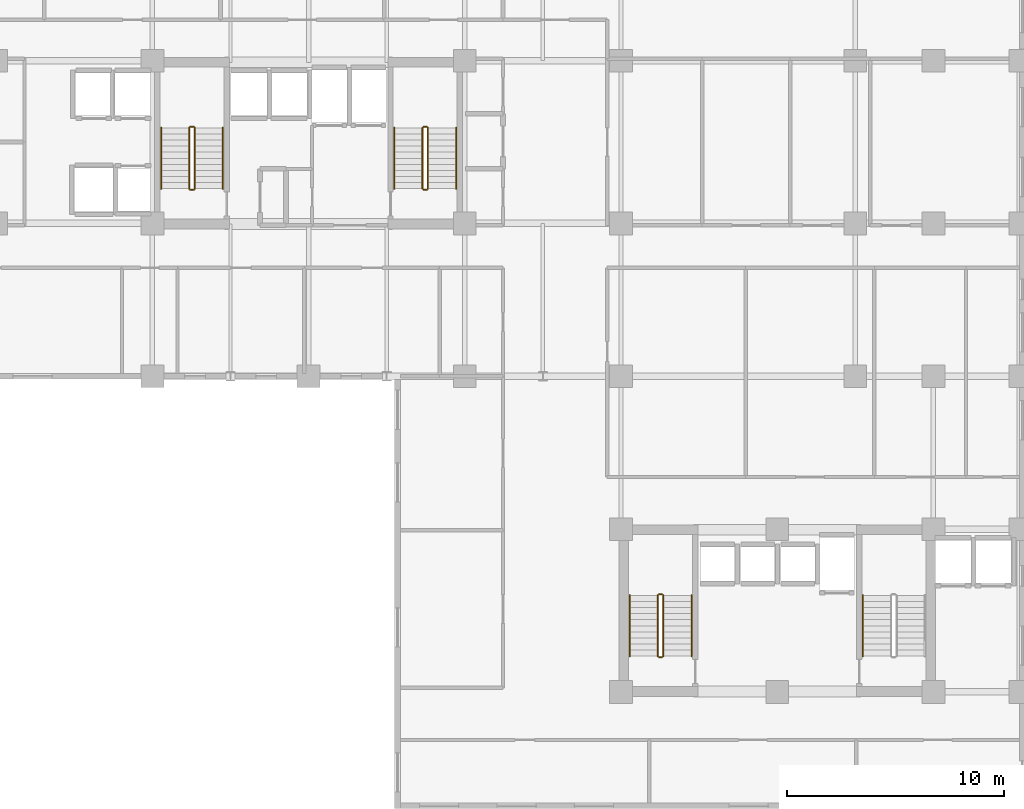
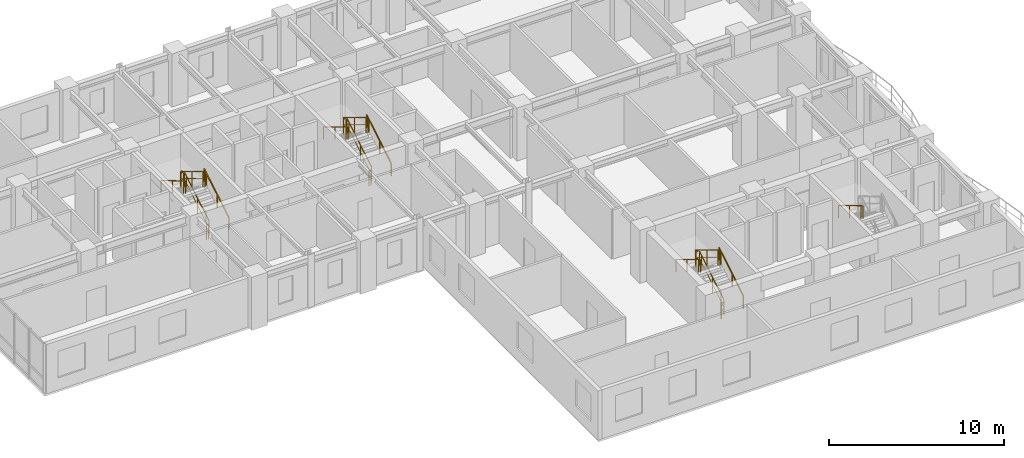
# One storey, part 17 of 19: 19 railings.
"""IFC4 building model written with IfcOpenShell, lengths in metres."""

from ifc_helpers import new_model, si_unit, direction, frame, origin, origin_2d, place, context, subcontext, project, spatial, rectangle, extrude, material, type_object, element, save


model = new_model("IFC4")

# Units and contexts
model_context = context("Model", 3, precision=1e-05, world=origin(), true_north=direction((0.0, 1.0)))
body_context = subcontext(model_context, "Body", "Model", "MODEL_VIEW")
ifc_project = project(units=[si_unit("LENGTHUNIT", "METRE"), si_unit("AREAUNIT", "SQUARE_METRE"), si_unit("VOLUMEUNIT", "CUBIC_METRE"), si_unit("PLANEANGLEUNIT", "RADIAN"), si_unit("MASSUNIT", "GRAM", prefix="KILO")], contexts=[model_context])

# Site, building, storey
site_placement = place(None, origin())
site = spatial("IfcSite", under=ifc_project, at=site_placement, CompositionType="ELEMENT")
building_placement = place(site_placement, origin())
building = spatial("IfcBuilding", under=site, at=building_placement, Name="Kaliganga Portal Commons", CompositionType="ELEMENT")
storey_placement = place(building_placement, frame((0.0, 0.0, 140.199951171875)))
storey = spatial("IfcBuildingStorey", under=building, at=storey_placement, Name="L35", CompositionType="ELEMENT", Elevation=140.199951171875)

# Railings
ifc_material_1 = material(Name="Galvanized Painted Steel Balustrade", Category="steel")
railing_type_1 = type_object("IfcRailingType", Name="RLG-STAIR-GRD", PredefinedType="GUARDRAIL", material=ifc_material_1)
railing_1_placement = place(storey_placement, frame((16.35009765625, 30.25, 0.168212890625)))
element("IfcRailing", 1, at=railing_1_placement, inside=storey, type_object=railing_type_1, Name="L35 ST-A1 stair guard 1", PredefinedType="GUARDRAIL", context=body_context, shape_type="SweptSolid", body=[
    extrude(rectangle(XDim=0.048095703125, YDim=0.048095703125, at=origin_2d()), frame((0.0, 0.0, 1.072021484375), z_axis=(0.0, 0.857242210791, 0.514913383045), x_axis=(-1.0, 0.0, 0.0)), (0.0, 0.0, 1.0), 3.266357421875),
    extrude(rectangle(XDim=0.028076171875, YDim=0.028076171875, at=origin_2d()), frame((0.0, 0.0, 0.572021484375), z_axis=(0.0, 0.857242210791, 0.514913383045), x_axis=(-1.0, 0.0, 0.0)), (0.0, 0.0, 1.0), 3.266357421875),
    extrude(rectangle(XDim=0.0419921875, YDim=0.0419921875, at=origin_2d()), origin(), (0.0, 0.0, 1.0), 1.052001953125),
    extrude(rectangle(XDim=0.0419921875, YDim=0.0419921875, at=origin_2d()), frame((0.0, 1.285888671875, 0.7724609375)), (0.0, 0.0, 1.0), 1.052001953125),
    extrude(rectangle(XDim=0.0419921875, YDim=0.0419921875, at=origin_2d()), frame((0.0, 2.57177734375, 1.544677734375)), (0.0, 0.0, 1.0), 1.052001953125),
    extrude(rectangle(XDim=0.0419921875, YDim=0.0419921875, at=origin_2d()), frame((0.0, 2.800048828125, 1.681884765625)), (0.0, 0.0, 1.0), 1.052001953125),
])
railing_2_placement = place(storey_placement, frame((16.300048828125, 33.10009765625, 1.85009765625)))
element("IfcRailing", 2, at=railing_2_placement, inside=storey, type_object=railing_type_1, Name="L35 ST-A1 stair guard 2", PredefinedType="GUARDRAIL", context=body_context, shape_type="SweptSolid", body=[
    extrude(rectangle(XDim=0.048095703125, YDim=0.048095703125, at=origin_2d()), frame((0.0, 0.0, 1.076171875), z_axis=(-1.0, 0.0, 0.0), x_axis=(0.0, -1.0, 0.0)), (0.0, 0.0, 1.0), 0.150146484375),
    extrude(rectangle(XDim=0.028076171875, YDim=0.028076171875, at=origin_2d()), frame((0.0, 0.0, 0.572021484375), z_axis=(-1.0, 0.0, 0.0), x_axis=(0.0, -1.0, 0.0)), (0.0, 0.0, 1.0), 0.150146484375),
    extrude(rectangle(XDim=0.0419921875, YDim=0.0419921875, at=origin_2d()), origin(), (0.0, 0.0, 1.0), 1.052001953125),
    extrude(rectangle(XDim=0.0419921875, YDim=0.0419921875, at=origin_2d()), frame((-0.150146484375, 0.0, 0.0)), (0.0, 0.0, 1.0), 1.052001953125),
])
railing_3_placement = place(storey_placement, frame((16.10009765625, 33.050048828125, 2.018310546875)))
element("IfcRailing", 3, at=railing_3_placement, inside=storey, type_object=railing_type_1, Name="L35 ST-A1 stair guard 3", PredefinedType="GUARDRAIL", context=body_context, shape_type="SweptSolid", body=[
    extrude(rectangle(XDim=0.048095703125, YDim=0.048095703125, at=origin_2d()), frame((0.0, 0.0, 1.072021484375), z_axis=(0.0, -0.857275202839, 0.514858452973), x_axis=(1.0, 0.0, 0.0)), (0.0, 0.0, 1.0), 3.26611328125),
    extrude(rectangle(XDim=0.028076171875, YDim=0.028076171875, at=origin_2d()), frame((0.0, 0.0, 0.572021484375), z_axis=(0.0, -0.857275202839, 0.514858452973), x_axis=(1.0, 0.0, 0.0)), (0.0, 0.0, 1.0), 3.26611328125),
    extrude(rectangle(XDim=0.0419921875, YDim=0.0419921875, at=origin_2d()), origin(), (0.0, 0.0, 1.0), 1.052001953125),
    extrude(rectangle(XDim=0.0419921875, YDim=0.0419921875, at=origin_2d()), frame((0.0, -1.285888671875, 0.772216796875)), (0.0, 0.0, 1.0), 1.052001953125),
    extrude(rectangle(XDim=0.0419921875, YDim=0.0419921875, at=origin_2d()), frame((0.0, -2.57177734375, 1.544677734375)), (0.0, 0.0, 1.0), 1.052001953125),
    extrude(rectangle(XDim=0.0419921875, YDim=0.0419921875, at=origin_2d()), frame((0.0, -2.800048828125, 1.681640625)), (0.0, 0.0, 1.0), 1.052001953125),
])
railing_4_placement = place(storey_placement, frame((16.300048828125, 30.199951171875, 0.0)))
element("IfcRailing", 4, at=railing_4_placement, inside=storey, type_object=railing_type_1, Name="L35 ST-A1 stair guard 4", PredefinedType="GUARDRAIL", context=body_context, shape_type="SweptSolid", body=[
    extrude(rectangle(XDim=0.048095703125, YDim=0.048095703125, at=origin_2d()), frame((0.0, 0.0, 1.076171875), z_axis=(-1.0, 0.0, 0.0), x_axis=(0.0, -1.0, 0.0)), (0.0, 0.0, 1.0), 0.150146484375),
    extrude(rectangle(XDim=0.028076171875, YDim=0.028076171875, at=origin_2d()), frame((0.0, 0.0, 0.572021484375), z_axis=(-1.0, 0.0, 0.0), x_axis=(0.0, -1.0, 0.0)), (0.0, 0.0, 1.0), 0.150146484375),
    extrude(rectangle(XDim=0.0419921875, YDim=0.0419921875, at=origin_2d()), origin(), (0.0, 0.0, 1.0), 1.052001953125),
    extrude(rectangle(XDim=0.0419921875, YDim=0.0419921875, at=origin_2d()), frame((-0.150146484375, 0.0, 0.0)), (0.0, 0.0, 1.0), 1.052001953125),
])
railing_5_placement = place(storey_placement, frame((27.10009765625, 30.25, 0.168212890625)))
element("IfcRailing", 5, at=railing_5_placement, inside=storey, type_object=railing_type_1, Name="L35 ST-A2 stair guard 1", PredefinedType="GUARDRAIL", context=body_context, shape_type="SweptSolid", body=[
    extrude(rectangle(XDim=0.048095703125, YDim=0.048095703125, at=origin_2d()), frame((0.0, 0.0, 1.072021484375), z_axis=(0.0, 0.857242210791, 0.514913383045), x_axis=(-1.0, 0.0, 0.0)), (0.0, 0.0, 1.0), 3.266357421875),
    extrude(rectangle(XDim=0.028076171875, YDim=0.028076171875, at=origin_2d()), frame((0.0, 0.0, 0.572021484375), z_axis=(0.0, 0.857242210791, 0.514913383045), x_axis=(-1.0, 0.0, 0.0)), (0.0, 0.0, 1.0), 3.266357421875),
    extrude(rectangle(XDim=0.0419921875, YDim=0.0419921875, at=origin_2d()), origin(), (0.0, 0.0, 1.0), 1.052001953125),
    extrude(rectangle(XDim=0.0419921875, YDim=0.0419921875, at=origin_2d()), frame((0.0, 1.285888671875, 0.7724609375)), (0.0, 0.0, 1.0), 1.052001953125),
    extrude(rectangle(XDim=0.0419921875, YDim=0.0419921875, at=origin_2d()), frame((0.0, 2.57177734375, 1.544677734375)), (0.0, 0.0, 1.0), 1.052001953125),
    extrude(rectangle(XDim=0.0419921875, YDim=0.0419921875, at=origin_2d()), frame((0.0, 2.800048828125, 1.681884765625)), (0.0, 0.0, 1.0), 1.052001953125),
])
railing_6_placement = place(storey_placement, frame((27.050048828125, 33.10009765625, 1.85009765625)))
element("IfcRailing", 6, at=railing_6_placement, inside=storey, type_object=railing_type_1, Name="L35 ST-A2 stair guard 2", PredefinedType="GUARDRAIL", context=body_context, shape_type="SweptSolid", body=[
    extrude(rectangle(XDim=0.048095703125, YDim=0.048095703125, at=origin_2d()), frame((0.0, 0.0, 1.076171875), z_axis=(-1.0, 0.0, 0.0), x_axis=(0.0, -1.0, 0.0)), (0.0, 0.0, 1.0), 0.150146484375),
    extrude(rectangle(XDim=0.028076171875, YDim=0.028076171875, at=origin_2d()), frame((0.0, 0.0, 0.572021484375), z_axis=(-1.0, 0.0, 0.0), x_axis=(0.0, -1.0, 0.0)), (0.0, 0.0, 1.0), 0.150146484375),
    extrude(rectangle(XDim=0.0419921875, YDim=0.0419921875, at=origin_2d()), origin(), (0.0, 0.0, 1.0), 1.052001953125),
    extrude(rectangle(XDim=0.0419921875, YDim=0.0419921875, at=origin_2d()), frame((-0.150146484375, 0.0, 0.0)), (0.0, 0.0, 1.0), 1.052001953125),
])
railing_7_placement = place(storey_placement, frame((26.85009765625, 33.050048828125, 2.018310546875)))
element("IfcRailing", 7, at=railing_7_placement, inside=storey, type_object=railing_type_1, Name="L35 ST-A2 stair guard 3", PredefinedType="GUARDRAIL", context=body_context, shape_type="SweptSolid", body=[
    extrude(rectangle(XDim=0.048095703125, YDim=0.048095703125, at=origin_2d()), frame((0.0, 0.0, 1.072021484375), z_axis=(0.0, -0.857275202839, 0.514858452973), x_axis=(1.0, 0.0, 0.0)), (0.0, 0.0, 1.0), 3.26611328125),
    extrude(rectangle(XDim=0.028076171875, YDim=0.028076171875, at=origin_2d()), frame((0.0, 0.0, 0.572021484375), z_axis=(0.0, -0.857275202839, 0.514858452973), x_axis=(1.0, 0.0, 0.0)), (0.0, 0.0, 1.0), 3.26611328125),
    extrude(rectangle(XDim=0.0419921875, YDim=0.0419921875, at=origin_2d()), origin(), (0.0, 0.0, 1.0), 1.052001953125),
    extrude(rectangle(XDim=0.0419921875, YDim=0.0419921875, at=origin_2d()), frame((0.0, -1.285888671875, 0.772216796875)), (0.0, 0.0, 1.0), 1.052001953125),
    extrude(rectangle(XDim=0.0419921875, YDim=0.0419921875, at=origin_2d()), frame((0.0, -2.57177734375, 1.544677734375)), (0.0, 0.0, 1.0), 1.052001953125),
    extrude(rectangle(XDim=0.0419921875, YDim=0.0419921875, at=origin_2d()), frame((0.0, -2.800048828125, 1.681640625)), (0.0, 0.0, 1.0), 1.052001953125),
])
railing_8_placement = place(storey_placement, frame((27.050048828125, 30.199951171875, 0.0)))
element("IfcRailing", 8, at=railing_8_placement, inside=storey, type_object=railing_type_1, Name="L35 ST-A2 stair guard 4", PredefinedType="GUARDRAIL", context=body_context, shape_type="SweptSolid", body=[
    extrude(rectangle(XDim=0.048095703125, YDim=0.048095703125, at=origin_2d()), frame((0.0, 0.0, 1.076171875), z_axis=(-1.0, 0.0, 0.0), x_axis=(0.0, -1.0, 0.0)), (0.0, 0.0, 1.0), 0.150146484375),
    extrude(rectangle(XDim=0.028076171875, YDim=0.028076171875, at=origin_2d()), frame((0.0, 0.0, 0.572021484375), z_axis=(-1.0, 0.0, 0.0), x_axis=(0.0, -1.0, 0.0)), (0.0, 0.0, 1.0), 0.150146484375),
    extrude(rectangle(XDim=0.0419921875, YDim=0.0419921875, at=origin_2d()), origin(), (0.0, 0.0, 1.0), 1.052001953125),
    extrude(rectangle(XDim=0.0419921875, YDim=0.0419921875, at=origin_2d()), frame((-0.150146484375, 0.0, 0.0)), (0.0, 0.0, 1.0), 1.052001953125),
])
railing_9_placement = place(storey_placement, frame((37.949951171875, 8.699951171875, 0.168212890625)))
element("IfcRailing", 9, at=railing_9_placement, inside=storey, type_object=railing_type_1, Name="L35 ST-B1 stair guard 1", PredefinedType="GUARDRAIL", context=body_context, shape_type="SweptSolid", body=[
    extrude(rectangle(XDim=0.048095703125, YDim=0.048095703125, at=origin_2d()), frame((0.0, 0.0, 1.072021484375), z_axis=(0.0, 0.857242210791, 0.514913383045), x_axis=(-1.0, 0.0, 0.0)), (0.0, 0.0, 1.0), 3.266357421875),
    extrude(rectangle(XDim=0.028076171875, YDim=0.028076171875, at=origin_2d()), frame((0.0, 0.0, 0.572021484375), z_axis=(0.0, 0.857242210791, 0.514913383045), x_axis=(-1.0, 0.0, 0.0)), (0.0, 0.0, 1.0), 3.266357421875),
    extrude(rectangle(XDim=0.0419921875, YDim=0.0419921875, at=origin_2d()), origin(), (0.0, 0.0, 1.0), 1.052001953125),
    extrude(rectangle(XDim=0.0419921875, YDim=0.0419921875, at=origin_2d()), frame((0.0, 1.285888671875, 0.7724609375)), (0.0, 0.0, 1.0), 1.052001953125),
    extrude(rectangle(XDim=0.0419921875, YDim=0.0419921875, at=origin_2d()), frame((0.0, 2.57177734375, 1.544677734375)), (0.0, 0.0, 1.0), 1.052001953125),
    extrude(rectangle(XDim=0.0419921875, YDim=0.0419921875, at=origin_2d()), frame((0.0, 2.800048828125, 1.681884765625)), (0.0, 0.0, 1.0), 1.052001953125),
])
railing_10_placement = place(storey_placement, frame((37.89990234375, 11.550048828125, 1.85009765625)))
element("IfcRailing", 10, at=railing_10_placement, inside=storey, type_object=railing_type_1, Name="L35 ST-B1 stair guard 2", PredefinedType="GUARDRAIL", context=body_context, shape_type="SweptSolid", body=[
    extrude(rectangle(XDim=0.048095703125, YDim=0.048095703125, at=origin_2d()), frame((0.0, 0.0, 1.076171875), z_axis=(-1.0, 0.0, 0.0), x_axis=(0.0, -1.0, 0.0)), (0.0, 0.0, 1.0), 0.14990234375),
    extrude(rectangle(XDim=0.028076171875, YDim=0.028076171875, at=origin_2d()), frame((0.0, 0.0, 0.572021484375), z_axis=(-1.0, 0.0, 0.0), x_axis=(0.0, -1.0, 0.0)), (0.0, 0.0, 1.0), 0.14990234375),
    extrude(rectangle(XDim=0.0419921875, YDim=0.0419921875, at=origin_2d()), frame((-0.14990234375, 0.0, 0.0)), (0.0, 0.0, 1.0), 1.052001953125),
])
railing_11_placement = place(storey_placement, frame((37.699951171875, 11.5, 2.018310546875)))
element("IfcRailing", 11, at=railing_11_placement, inside=storey, type_object=railing_type_1, Name="L35 ST-B1 stair guard 3", PredefinedType="GUARDRAIL", context=body_context, shape_type="SweptSolid", body=[
    extrude(rectangle(XDim=0.048095703125, YDim=0.048095703125, at=origin_2d()), frame((0.0, 0.0, 1.072021484375), z_axis=(0.0, -0.857275202839, 0.514858452973), x_axis=(1.0, 0.0, 0.0)), (0.0, 0.0, 1.0), 3.26611328125),
    extrude(rectangle(XDim=0.028076171875, YDim=0.028076171875, at=origin_2d()), frame((0.0, 0.0, 0.572021484375), z_axis=(0.0, -0.857275202839, 0.514858452973), x_axis=(1.0, 0.0, 0.0)), (0.0, 0.0, 1.0), 3.26611328125),
    extrude(rectangle(XDim=0.0419921875, YDim=0.0419921875, at=origin_2d()), origin(), (0.0, 0.0, 1.0), 1.052001953125),
    extrude(rectangle(XDim=0.0419921875, YDim=0.0419921875, at=origin_2d()), frame((0.0, -1.285888671875, 0.772216796875)), (0.0, 0.0, 1.0), 1.052001953125),
    extrude(rectangle(XDim=0.0419921875, YDim=0.0419921875, at=origin_2d()), frame((0.0, -2.57177734375, 1.544677734375)), (0.0, 0.0, 1.0), 1.052001953125),
    extrude(rectangle(XDim=0.0419921875, YDim=0.0419921875, at=origin_2d()), frame((0.0, -2.800048828125, 1.681640625)), (0.0, 0.0, 1.0), 1.052001953125),
])
railing_12_placement = place(storey_placement, frame((37.89990234375, 8.64990234375, 0.0)))
element("IfcRailing", 12, at=railing_12_placement, inside=storey, type_object=railing_type_1, Name="L35 ST-B1 stair guard 4", PredefinedType="GUARDRAIL", context=body_context, shape_type="SweptSolid", body=[
    extrude(rectangle(XDim=0.048095703125, YDim=0.048095703125, at=origin_2d()), frame((0.0, 0.0, 1.076171875), z_axis=(-1.0, 0.0, 0.0), x_axis=(0.0, -1.0, 0.0)), (0.0, 0.0, 1.0), 0.14990234375),
    extrude(rectangle(XDim=0.028076171875, YDim=0.028076171875, at=origin_2d()), frame((0.0, 0.0, 0.572021484375), z_axis=(-1.0, 0.0, 0.0), x_axis=(0.0, -1.0, 0.0)), (0.0, 0.0, 1.0), 0.14990234375),
    extrude(rectangle(XDim=0.0419921875, YDim=0.0419921875, at=origin_2d()), frame((-0.14990234375, 0.0, 0.0)), (0.0, 0.0, 1.0), 1.052001953125),
])
ifc_material_2 = material(Name="Brushed Stainless Steel 316", Category="steel")
railing_type_2 = type_object("IfcRailingType", Name="RLG-STAIR-HR", PredefinedType="HANDRAIL", material=ifc_material_2)
railing_13_placement = place(storey_placement, frame((17.64990234375, 30.25, 0.168212890625)))
element("IfcRailing", 13, at=railing_13_placement, inside=storey, type_object=railing_type_2, Name="L35 ST-A1 stair handrail 1", PredefinedType="HANDRAIL", context=body_context, shape_type="SweptSolid", body=[
    extrude(rectangle(XDim=0.048095703125, YDim=0.048095703125, at=origin_2d()), frame((0.0, 0.0, 0.871826171875), z_axis=(0.0, 0.857242210791, 0.514913383045), x_axis=(-1.0, 0.0, 0.0)), (0.0, 0.0, 1.0), 3.266357421875),
    extrude(rectangle(XDim=0.0419921875, YDim=0.0419921875, at=origin_2d()), origin(), (0.0, 0.0, 1.0), 0.851806640625),
    extrude(rectangle(XDim=0.0419921875, YDim=0.0419921875, at=origin_2d()), frame((0.0, 1.285888671875, 0.7724609375)), (0.0, 0.0, 1.0), 0.851806640625),
    extrude(rectangle(XDim=0.0419921875, YDim=0.0419921875, at=origin_2d()), frame((0.0, 2.57177734375, 1.544677734375)), (0.0, 0.0, 1.0), 0.851806640625),
    extrude(rectangle(XDim=0.0419921875, YDim=0.0419921875, at=origin_2d()), frame((0.0, 2.800048828125, 1.681884765625)), (0.0, 0.0, 1.0), 0.851806640625),
])
railing_14_placement = place(storey_placement, frame((14.800048828125, 33.050048828125, 2.018310546875)))
element("IfcRailing", 14, at=railing_14_placement, inside=storey, type_object=railing_type_2, Name="L35 ST-A1 stair handrail 2", PredefinedType="HANDRAIL", context=body_context, shape_type="SweptSolid", body=[
    extrude(rectangle(XDim=0.048095703125, YDim=0.048095703125, at=origin_2d()), frame((0.0, 0.0, 0.871826171875), z_axis=(0.0, -0.857275202839, 0.514858452973), x_axis=(1.0, 0.0, 0.0)), (0.0, 0.0, 1.0), 3.26611328125),
    extrude(rectangle(XDim=0.0419921875, YDim=0.0419921875, at=origin_2d()), origin(), (0.0, 0.0, 1.0), 0.851806640625),
    extrude(rectangle(XDim=0.0419921875, YDim=0.0419921875, at=origin_2d()), frame((0.0, -1.285888671875, 0.772216796875)), (0.0, 0.0, 1.0), 0.851806640625),
    extrude(rectangle(XDim=0.0419921875, YDim=0.0419921875, at=origin_2d()), frame((0.0, -2.57177734375, 1.544677734375)), (0.0, 0.0, 1.0), 0.851806640625),
    extrude(rectangle(XDim=0.0419921875, YDim=0.0419921875, at=origin_2d()), frame((0.0, -2.800048828125, 1.681640625)), (0.0, 0.0, 1.0), 0.851806640625),
])
railing_15_placement = place(storey_placement, frame((28.39990234375, 30.25, 0.168212890625)))
element("IfcRailing", 15, at=railing_15_placement, inside=storey, type_object=railing_type_2, Name="L35 ST-A2 stair handrail 1", PredefinedType="HANDRAIL", context=body_context, shape_type="SweptSolid", body=[
    extrude(rectangle(XDim=0.048095703125, YDim=0.048095703125, at=origin_2d()), frame((0.0, 0.0, 0.871826171875), z_axis=(0.0, 0.857242210791, 0.514913383045), x_axis=(-1.0, 0.0, 0.0)), (0.0, 0.0, 1.0), 3.266357421875),
    extrude(rectangle(XDim=0.0419921875, YDim=0.0419921875, at=origin_2d()), origin(), (0.0, 0.0, 1.0), 0.851806640625),
    extrude(rectangle(XDim=0.0419921875, YDim=0.0419921875, at=origin_2d()), frame((0.0, 1.285888671875, 0.7724609375)), (0.0, 0.0, 1.0), 0.851806640625),
    extrude(rectangle(XDim=0.0419921875, YDim=0.0419921875, at=origin_2d()), frame((0.0, 2.57177734375, 1.544677734375)), (0.0, 0.0, 1.0), 0.851806640625),
    extrude(rectangle(XDim=0.0419921875, YDim=0.0419921875, at=origin_2d()), frame((0.0, 2.800048828125, 1.681884765625)), (0.0, 0.0, 1.0), 0.851806640625),
])
railing_16_placement = place(storey_placement, frame((25.550048828125, 33.050048828125, 2.018310546875)))
element("IfcRailing", 16, at=railing_16_placement, inside=storey, type_object=railing_type_2, Name="L35 ST-A2 stair handrail 2", PredefinedType="HANDRAIL", context=body_context, shape_type="SweptSolid", body=[
    extrude(rectangle(XDim=0.048095703125, YDim=0.048095703125, at=origin_2d()), frame((0.0, 0.0, 0.871826171875), z_axis=(0.0, -0.857275202839, 0.514858452973), x_axis=(1.0, 0.0, 0.0)), (0.0, 0.0, 1.0), 3.26611328125),
    extrude(rectangle(XDim=0.0419921875, YDim=0.0419921875, at=origin_2d()), origin(), (0.0, 0.0, 1.0), 0.851806640625),
    extrude(rectangle(XDim=0.0419921875, YDim=0.0419921875, at=origin_2d()), frame((0.0, -1.285888671875, 0.772216796875)), (0.0, 0.0, 1.0), 0.851806640625),
    extrude(rectangle(XDim=0.0419921875, YDim=0.0419921875, at=origin_2d()), frame((0.0, -2.57177734375, 1.544677734375)), (0.0, 0.0, 1.0), 0.851806640625),
    extrude(rectangle(XDim=0.0419921875, YDim=0.0419921875, at=origin_2d()), frame((0.0, -2.800048828125, 1.681640625)), (0.0, 0.0, 1.0), 0.851806640625),
])
railing_17_placement = place(storey_placement, frame((39.25, 8.699951171875, 0.168212890625)))
element("IfcRailing", 17, at=railing_17_placement, inside=storey, type_object=railing_type_2, Name="L35 ST-B1 stair handrail 1", PredefinedType="HANDRAIL", context=body_context, shape_type="SweptSolid", body=[
    extrude(rectangle(XDim=0.048095703125, YDim=0.048095703125, at=origin_2d()), frame((0.0, 0.0, 0.871826171875), z_axis=(0.0, 0.857242210791, 0.514913383045), x_axis=(-1.0, 0.0, 0.0)), (0.0, 0.0, 1.0), 3.266357421875),
    extrude(rectangle(XDim=0.0419921875, YDim=0.0419921875, at=origin_2d()), origin(), (0.0, 0.0, 1.0), 0.851806640625),
    extrude(rectangle(XDim=0.0419921875, YDim=0.0419921875, at=origin_2d()), frame((0.0, 1.285888671875, 0.7724609375)), (0.0, 0.0, 1.0), 0.851806640625),
    extrude(rectangle(XDim=0.0419921875, YDim=0.0419921875, at=origin_2d()), frame((0.0, 2.57177734375, 1.544677734375)), (0.0, 0.0, 1.0), 0.851806640625),
    extrude(rectangle(XDim=0.0419921875, YDim=0.0419921875, at=origin_2d()), frame((0.0, 2.800048828125, 1.681884765625)), (0.0, 0.0, 1.0), 0.851806640625),
])
for number, where, name in (
    (18, (36.39990234375, 11.5, 2.018310546875), "L35 ST-B1 stair handrail 2"),
    (19, (47.14990234375, 11.5, 2.018310546875), "L35 ST-B2 stair handrail 2"),
):
    element("IfcRailing", number, at=place(storey_placement, frame(where)), inside=storey, type_object=railing_type_2, Name=name, PredefinedType="HANDRAIL", context=body_context, shape_type="SweptSolid", body=[
        extrude(rectangle(XDim=0.048095703125, YDim=0.048095703125, at=origin_2d()), frame((0.0, 0.0, 0.871826171875), z_axis=(0.0, -0.857275202839, 0.514858452973), x_axis=(1.0, 0.0, 0.0)), (0.0, 0.0, 1.0), 3.26611328125),
        extrude(rectangle(XDim=0.0419921875, YDim=0.0419921875, at=origin_2d()), origin(), (0.0, 0.0, 1.0), 0.851806640625),
        extrude(rectangle(XDim=0.0419921875, YDim=0.0419921875, at=origin_2d()), frame((0.0, -1.285888671875, 0.772216796875)), (0.0, 0.0, 1.0), 0.851806640625),
        extrude(rectangle(XDim=0.0419921875, YDim=0.0419921875, at=origin_2d()), frame((0.0, -2.57177734375, 1.544677734375)), (0.0, 0.0, 1.0), 0.851806640625),
        extrude(rectangle(XDim=0.0419921875, YDim=0.0419921875, at=origin_2d()), frame((0.0, -2.800048828125, 1.681640625)), (0.0, 0.0, 1.0), 0.851806640625),
    ])

save(model, "model.ifc")
